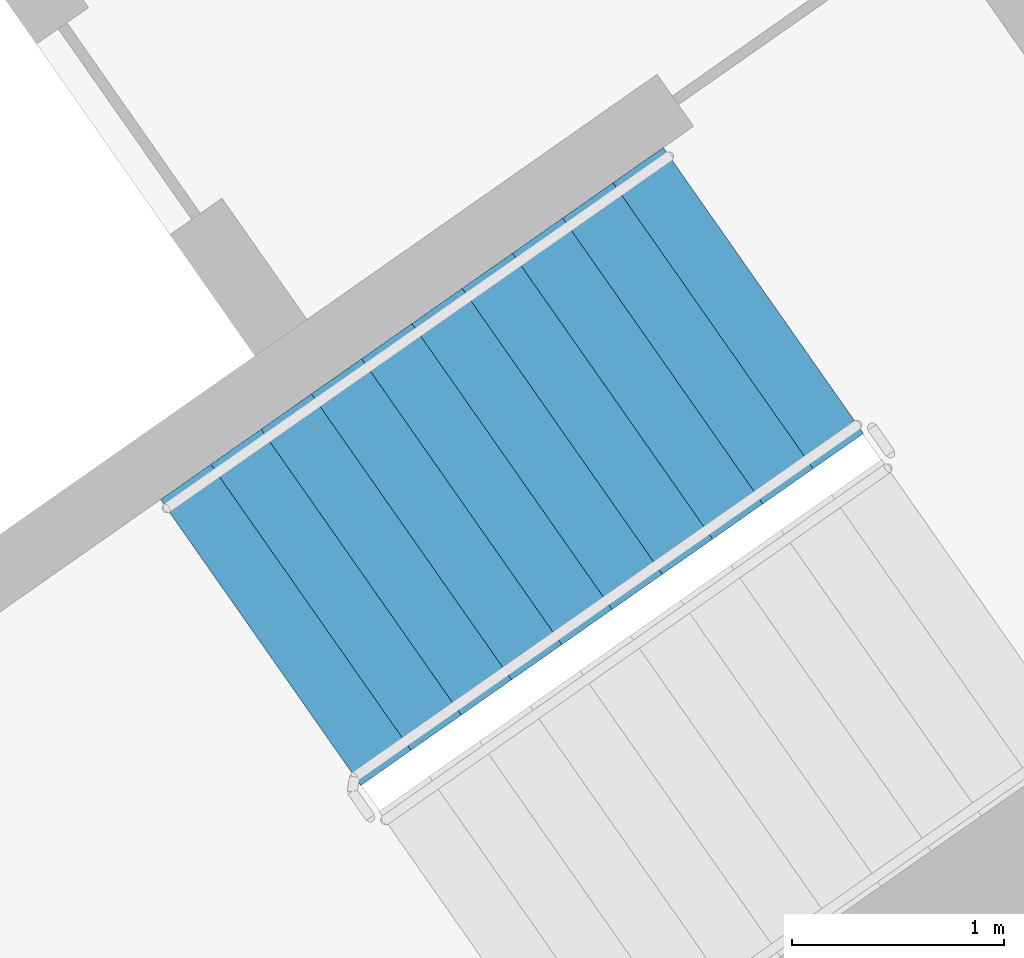
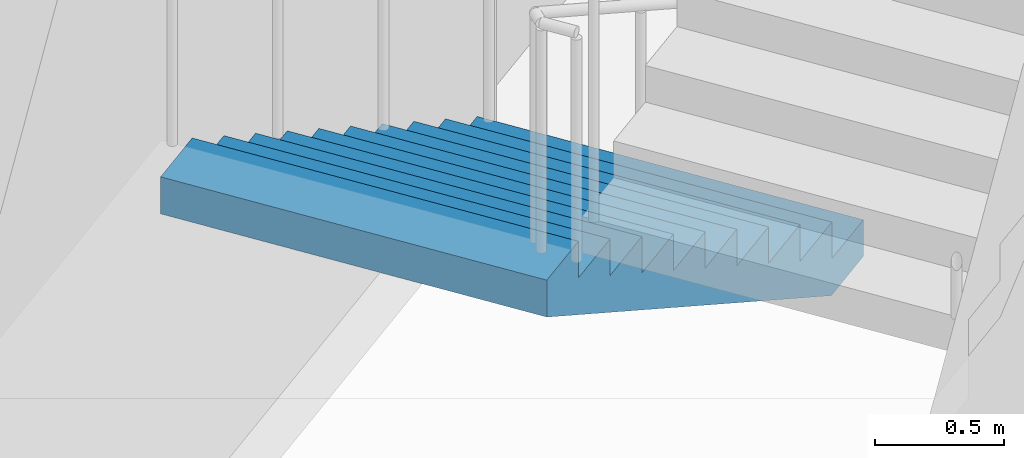
# One storey, part 14 of 27: 1 stair flight, 1 element without a shape of its own.
"""IFC4 building model written with IfcOpenShell, lengths in metres."""

import ifcopenshell
import ifcopenshell.guid

model = None  # the IFC model being written
_history = None  # IfcOwnerHistory: only IFC2X3 demands one
_inside = {}  # id of a spatial element -> (the spatial element, [elements in it])
_under = {}  # id of a project, library or spatial element -> (it, [spatial elements below it])
_declared = {}  # id of a project -> (the project, [libraries it declares])
_typed = {}  # id of a type object -> (the type object, [elements of that type])
_made_of = {}  # id of a material, layer set ... -> (it, [elements and type objects made of it])


def new_model(schema):
    """Start an empty IFC model of exactly this schema.

    Asked for "IFC4X3", IfcOpenShell would pick the latest addendum, in which some entities
    have other attributes; the version numbers below select the first issue.
    IFC2X3 requires an IfcOwnerHistory on every rooted entity: one is made here for all.
    """
    global model, _history
    if schema == "IFC4X3":
        model = ifcopenshell.file(schema_version=(4, 3, 0, 0))
    else:
        model = ifcopenshell.file(schema=schema)
    _inside.clear()
    _under.clear()
    _declared.clear()
    _typed.clear()
    _made_of.clear()
    _history = None
    if model.schema == "IFC2X3":
        org = make("IfcOrganization", Name="unknown")
        user = make(
            "IfcPersonAndOrganization",
            ThePerson=make("IfcPerson", FamilyName="unknown"),
            TheOrganization=org,
        )
        app = make(
            "IfcApplication",
            ApplicationDeveloper=org,
            Version="unknown",
            ApplicationFullName="unknown",
            ApplicationIdentifier="unknown",
        )
        _history = make(
            "IfcOwnerHistory",
            OwningUser=user,
            OwningApplication=app,
            ChangeAction="ADDED",
            CreationDate=0,
        )
    return model


def make(cls, **values):
    """One entity of the class cls with the attributes given. An attribute that is None is left unset."""
    return model.create_entity(
        cls, **{name: value for name, value in values.items() if value is not None}
    )


def rooted(cls, **values):
    """An entity with a GlobalId (a new one), such as an element, a storey or a relation."""
    return make(cls, GlobalId=ifcopenshell.guid.new(), OwnerHistory=_history, **values)


def si_unit(unit_type, name, prefix=None):
    """IfcSIUnit, for example si_unit("LENGTHUNIT", "METRE", prefix="MILLI")."""
    return make("IfcSIUnit", UnitType=unit_type, Prefix=prefix, Name=name)


def assignment(units):
    """IfcUnitAssignment: the units of a project."""
    return None if units is None else make("IfcUnitAssignment", Units=units)


def point(xyz):
    """IfcCartesianPoint."""
    return None if xyz is None else make("IfcCartesianPoint", Coordinates=xyz)


def direction(xyz):
    """IfcDirection."""
    return None if xyz is None else make("IfcDirection", DirectionRatios=xyz)


def frame(location, z_axis=None, x_axis=None):
    """IfcAxis2Placement3D, a coordinate frame: its origin and axes. An axis left out is left unset."""
    return make(
        "IfcAxis2Placement3D",
        Location=point(location),
        Axis=direction(z_axis),
        RefDirection=direction(x_axis),
    )


def origin():
    """The frame at (0, 0, 0) with its axes left unset."""
    return frame((0.0, 0.0, 0.0))


def place(relative_to, where):
    """IfcLocalPlacement: puts the frame where relative to a parent placement (None: the world)."""
    return make(
        "IfcLocalPlacement", PlacementRelTo=relative_to, RelativePlacement=where
    )


def context(
    kind, dimensions, precision=None, world=None, true_north=None, identifier=None
):
    """IfcGeometricRepresentationContext, for example the 3D "Model" context."""
    return make(
        "IfcGeometricRepresentationContext",
        ContextIdentifier=identifier,
        ContextType=kind,
        CoordinateSpaceDimension=dimensions,
        Precision=precision,
        WorldCoordinateSystem=world,
        TrueNorth=true_north,
    )


def subcontext(parent, identifier, kind, view, scale=None):
    """IfcGeometricRepresentationSubContext, for example "Body" below "Model"."""
    return make(
        "IfcGeometricRepresentationSubContext",
        ContextIdentifier=identifier,
        ContextType=kind,
        ParentContext=parent,
        TargetScale=scale,
        TargetView=view,
    )


def project(units=None, contexts=None):
    """IfcProject with its units and contexts."""
    return rooted(
        "IfcProject",
        Name="project",
        RepresentationContexts=contexts,
        UnitsInContext=assignment(units),
    )


def spatial(cls, under=None, at=None, **own):
    """A site, building, storey or space (cls), placed at a placement, below another one or the project."""
    s = rooted(cls, ObjectPlacement=at, **own)
    if under is not None:
        _under.setdefault(under.id(), (under, []))[1].append(s)
    return s


def faces_of(points, faces, orient=None, outer=None):
    """IfcFace entities. A face is a list of loops; a loop is a list of indices into points, from 0.

    orient and outer hold one flag for each loop. By default every Orientation is true, the
    first loop of a face is its IfcFaceOuterBound and the others are IfcFaceBound.
    """
    made = []
    for i, loops in enumerate(faces):
        bounds = []
        for j, loop in enumerate(loops):
            is_outer = j == 0 if outer is None else outer[i][j]
            bounds.append(
                make(
                    "IfcFaceOuterBound" if is_outer else "IfcFaceBound",
                    Bound=make("IfcPolyLoop", Polygon=[points[k] for k in loop]),
                    Orientation=True if orient is None else orient[i][j],
                )
            )
        made.append(make("IfcFace", Bounds=bounds))
    return made


def faceted_brep(points, faces, orient=None, outer=None, voids=None):
    """IfcFacetedBrep: a solid bounded by flat faces; with voids (closed shells), ...WithVoids."""
    shared = [point(p) for p in points]
    hull = make("IfcClosedShell", CfsFaces=faces_of(shared, faces, orient, outer))
    if voids is None:
        return make("IfcFacetedBrep", Outer=hull)
    return make(
        "IfcFacetedBrepWithVoids",
        Outer=hull,
        Voids=[
            make(cls, CfsFaces=faces_of(shared, fs, o, b)) for cls, fs, o, b in voids
        ],
    )


def shape(context_of_items, identifier, shape_type, items):
    """IfcShapeRepresentation: the items that make up one representation, for example the "Body"."""
    return make(
        "IfcShapeRepresentation",
        ContextOfItems=context_of_items,
        RepresentationIdentifier=identifier,
        RepresentationType=shape_type,
        Items=items,
    )


def material(Name=None, Category=None):
    """IfcMaterial."""
    return make("IfcMaterial", Name=Name, Category=Category)


def made_of(thing, what):
    """Note that an element or type object is made of a material, layer set ...; save() writes the relation."""
    if what is not None:
        _made_of.setdefault(what.id(), (what, []))[1].append(thing)
    return thing


def type_object(cls, material=None, **own):
    """A type object (cls), such as IfcWallType, which elements share."""
    return made_of(rooted(cls, **own), material)


def element(
    cls,
    number,
    at=None,
    inside=None,
    cuts=None,
    type_object=None,
    material=None,
    context=None,
    identifier="Body",
    shape_type=None,
    held_by="IfcProductDefinitionShape",
    body=None,
    shapes=None,
    **own,
):
    """One element of the class cls, such as IfcWall. Its Tag is "e" and its number.

    at: its placement. inside: the storey or other place that contains it. cuts: it is an
    opening in that element (IfcRelVoidsElement). A single representation is given by context,
    identifier, shape_type and body (its items); several are given by shapes. held_by: the class
    of the entity that holds the representations. save() writes the other relations.
    """
    e = rooted(cls, Tag="e%d" % number, ObjectPlacement=at, **own)
    if body is not None:
        shapes = [shape(context, identifier, shape_type, body)]
    if shapes is not None:
        e.Representation = make(held_by, Representations=shapes)
    if inside is not None:
        _inside.setdefault(inside.id(), (inside, []))[1].append(e)
    if cuts is not None:
        rooted(
            "IfcRelVoidsElement", RelatingBuildingElement=cuts, RelatedOpeningElement=e
        )
    if type_object is not None:
        _typed.setdefault(type_object.id(), (type_object, []))[1].append(e)
    return made_of(e, material)


def aggregate(whole, parts):
    """IfcRelAggregates: a whole, such as a stair, and the parts it consists of."""
    return rooted("IfcRelAggregates", RelatingObject=whole, RelatedObjects=parts)


def save(model, path):
    """Write the relations noted so far, then the file.

    IfcRelAggregates (storeys below a building ...), IfcRelContainedInSpatialStructure (elements
    in a storey), IfcRelDefinesByType, IfcRelAssociatesMaterial and IfcRelDeclares: one each for
    every whole, place, type object, material and project.
    """
    for whole, parts in _under.values():
        aggregate(whole, parts)
    for where, things in _inside.values():
        rooted(
            "IfcRelContainedInSpatialStructure",
            RelatedElements=things,
            RelatingStructure=where,
        )
    for kind, things in _typed.values():
        rooted("IfcRelDefinesByType", RelatedObjects=things, RelatingType=kind)
    for what, things in _made_of.values():
        rooted("IfcRelAssociatesMaterial", RelatedObjects=things, RelatingMaterial=what)
    for by, libraries in _declared.values():
        rooted("IfcRelDeclares", RelatingContext=by, RelatedDefinitions=libraries)
    model.write(path)


model = new_model("IFC4")

# Units and contexts
model_context = context("Model", 3, precision=1e-05, world=origin(), true_north=direction((0.0, 1.0)))
body_context = subcontext(model_context, "Body", "Model", "MODEL_VIEW")
ifc_project = project(units=[si_unit("LENGTHUNIT", "METRE"), si_unit("AREAUNIT", "SQUARE_METRE"), si_unit("VOLUMEUNIT", "CUBIC_METRE"), si_unit("PLANEANGLEUNIT", "RADIAN"), si_unit("MASSUNIT", "GRAM", prefix="KILO")], contexts=[model_context])

# Site, building, storey
site_placement = place(None, origin())
site = spatial("IfcSite", under=ifc_project, at=site_placement, CompositionType="ELEMENT")
building_placement = place(site_placement, origin())
building = spatial("IfcBuilding", under=site, at=building_placement, Name="Qamariyya Broadcast Tower", CompositionType="ELEMENT")
storey_placement = place(building_placement, frame((0.0, 0.0, 280.89990234375)))
storey = spatial("IfcBuildingStorey", under=building, at=storey_placement, Name="L68", CompositionType="ELEMENT", Elevation=280.89990234375)

# Stair, stair flight
ifc_material = material(Name="Concrete C50/60", Category="concrete")
stair_type = type_object("IfcStairType", Name="Exit stair 22 risers of 173 mm", PredefinedType="HALF_TURN_STAIR", material=ifc_material)
stair_placement = place(storey_placement, origin())
stair = element("IfcStair", 1, at=stair_placement, inside=storey, type_object=stair_type, Name="L68 Stair E1", PredefinedType="HALF_TURN_STAIR")
stair_flight_type = type_object("IfcStairFlightType", Name="Exit stair flight 11 risers of 173 mm", PredefinedType="STRAIGHT", material=ifc_material)
stair_flight_placement = place(storey_placement, frame((46.036376953125, -55.508056640625, 0.0), z_axis=(0.0, 0.0, 1.0), x_axis=(-0.819152044289, -0.573576436351, 0.0)))
stair_flight = element("IfcStairFlight", 2, at=stair_flight_placement, type_object=stair_flight_type, Name="ST-E1 flight 1", NumberOfRisers=11, NumberOfTreads=10, PredefinedType="STRAIGHT", RiserHeight=0.172727273, TreadLength=0.29, context=body_context, shape_type="Brep", body=[
    faceted_brep([(0.0, 0.824951171875, 0.0), (0.0, 0.824951171875, 0.172607421875), (0.2900390625, 0.824951171875, 0.172607421875), (0.2900390625, 0.824951171875, 0.345458984375), (0.580078125, 0.824951171875, 0.345458984375), (0.580078125, 0.824951171875, 0.51806640625), (0.8701171875, 0.824951171875, 0.51806640625), (0.8701171875, 0.824951171875, 0.69091796875), (1.159912109375, 0.824951171875, 0.69091796875), (1.159912109375, 0.824951171875, 0.863525390625), (1.449951171875, 0.824951171875, 0.863525390625), (1.449951171875, 0.824951171875, 1.036376953125), (1.739990234375, 0.824951171875, 1.036376953125), (1.739990234375, 0.824951171875, 1.208984375), (2.030029296875, 0.824951171875, 1.208984375), (2.030029296875, 0.824951171875, 1.3818359375), (2.320068359375, 0.824951171875, 1.3818359375), (2.320068359375, 0.824951171875, 1.554443359375), (2.610107421875, 0.824951171875, 1.554443359375), (2.610107421875, 0.824951171875, 1.727294921875), (2.89990234375, 0.824951171875, 1.727294921875), (2.89990234375, 0.824951171875, 1.552734375), (0.29296875, 0.824951171875, 0.0), (0.29296875, -0.824951171875, 0.0), (2.89990234375, -0.824951171875, 1.552734375), (2.89990234375, -0.824951171875, 1.727294921875), (2.610107421875, -0.824951171875, 1.727294921875), (2.610107421875, -0.824951171875, 1.554443359375), (2.320068359375, -0.824951171875, 1.554443359375), (2.320068359375, -0.824951171875, 1.3818359375), (2.030029296875, -0.824951171875, 1.3818359375), (2.030029296875, -0.824951171875, 1.208984375), (1.739990234375, -0.824951171875, 1.208984375), (1.739990234375, -0.824951171875, 1.036376953125), (1.449951171875, -0.824951171875, 1.036376953125), (1.449951171875, -0.824951171875, 0.863525390625), (1.159912109375, -0.824951171875, 0.863525390625), (1.159912109375, -0.824951171875, 0.69091796875), (0.8701171875, -0.824951171875, 0.69091796875), (0.8701171875, -0.824951171875, 0.51806640625), (0.580078125, -0.824951171875, 0.51806640625), (0.580078125, -0.824951171875, 0.345458984375), (0.2900390625, -0.824951171875, 0.345458984375), (0.2900390625, -0.824951171875, 0.172607421875), (0.0, -0.824951171875, 0.172607421875), (0.0, -0.824951171875, 0.0), (0.0, 0.10009765625, 0.0), (0.0, 0.086669921875, 0.0), (0.0, 0.0732421875, 0.0), (0.0, 0.06005859375, 0.0), (0.0, 0.046630859375, 0.0), (0.0, 0.033447265625, 0.0), (0.0, 0.02001953125, 0.0), (0.0, 0.006591796875, 0.0), (0.0, -0.006591796875, 0.0), (0.0, -0.02001953125, 0.0), (0.0, -0.033447265625, 0.0), (0.0, -0.046630859375, 0.0), (0.0, -0.06005859375, 0.0), (0.0, -0.0732421875, 0.0), (0.0, -0.086669921875, 0.0), (0.0, -0.10009765625, 0.0), (0.0, -0.10009765625, 0.172607421875), (0.0, -0.086669921875, 0.172607421875), (0.0, -0.0732421875, 0.172607421875), (0.0, -0.06005859375, 0.172607421875), (0.0, -0.046630859375, 0.172607421875), (0.0, -0.033447265625, 0.172607421875), (0.0, -0.02001953125, 0.172607421875), (0.0, -0.006591796875, 0.172607421875), (0.0, 0.006591796875, 0.172607421875), (0.0, 0.02001953125, 0.172607421875), (0.0, 0.033447265625, 0.172607421875), (0.0, 0.046630859375, 0.172607421875), (0.0, 0.06005859375, 0.172607421875), (0.0, 0.0732421875, 0.172607421875), (0.0, 0.086669921875, 0.172607421875), (0.0, 0.10009765625, 0.172607421875), (0.2900390625, -0.10009765625, 0.172607421875), (0.2900390625, -0.086669921875, 0.172607421875), (0.2900390625, -0.0732421875, 0.172607421875), (0.2900390625, -0.06005859375, 0.172607421875), (0.2900390625, -0.046630859375, 0.172607421875), (0.2900390625, -0.033447265625, 0.172607421875), (0.2900390625, -0.02001953125, 0.172607421875), (0.2900390625, -0.006591796875, 0.172607421875), (0.2900390625, 0.006591796875, 0.172607421875), (0.2900390625, 0.02001953125, 0.172607421875), (0.2900390625, 0.033447265625, 0.172607421875), (0.2900390625, 0.046630859375, 0.172607421875), (0.2900390625, 0.06005859375, 0.172607421875), (0.2900390625, 0.0732421875, 0.172607421875), (0.2900390625, 0.086669921875, 0.172607421875), (0.2900390625, 0.10009765625, 0.172607421875), (0.2900390625, -0.10009765625, 0.345458984375), (0.2900390625, -0.086669921875, 0.345458984375), (0.2900390625, -0.0732421875, 0.345458984375), (0.2900390625, -0.06005859375, 0.345458984375), (0.2900390625, -0.046630859375, 0.345458984375), (0.2900390625, -0.033447265625, 0.345458984375), (0.2900390625, -0.02001953125, 0.345458984375), (0.2900390625, -0.006591796875, 0.345458984375), (0.2900390625, 0.006591796875, 0.345458984375), (0.2900390625, 0.02001953125, 0.345458984375), (0.2900390625, 0.033447265625, 0.345458984375), (0.2900390625, 0.046630859375, 0.345458984375), (0.2900390625, 0.06005859375, 0.345458984375), (0.2900390625, 0.0732421875, 0.345458984375), (0.2900390625, 0.086669921875, 0.345458984375), (0.2900390625, 0.10009765625, 0.345458984375), (0.580078125, -0.10009765625, 0.345458984375), (0.580078125, -0.086669921875, 0.345458984375), (0.580078125, -0.0732421875, 0.345458984375), (0.580078125, -0.06005859375, 0.345458984375), (0.580078125, -0.046630859375, 0.345458984375), (0.580078125, -0.033447265625, 0.345458984375), (0.580078125, -0.02001953125, 0.345458984375), (0.580078125, -0.006591796875, 0.345458984375), (0.580078125, 0.006591796875, 0.345458984375), (0.580078125, 0.02001953125, 0.345458984375), (0.580078125, 0.033447265625, 0.345458984375), (0.580078125, 0.046630859375, 0.345458984375), (0.580078125, 0.06005859375, 0.345458984375), (0.580078125, 0.0732421875, 0.345458984375), (0.580078125, 0.086669921875, 0.345458984375), (0.580078125, 0.10009765625, 0.345458984375), (0.580078125, -0.10009765625, 0.51806640625), (0.580078125, -0.086669921875, 0.51806640625), (0.580078125, -0.0732421875, 0.51806640625), (0.580078125, -0.06005859375, 0.51806640625), (0.580078125, -0.046630859375, 0.51806640625), (0.580078125, -0.033447265625, 0.51806640625), (0.580078125, -0.02001953125, 0.51806640625), (0.580078125, -0.006591796875, 0.51806640625), (0.580078125, 0.006591796875, 0.51806640625), (0.580078125, 0.02001953125, 0.51806640625), (0.580078125, 0.033447265625, 0.51806640625), (0.580078125, 0.046630859375, 0.51806640625), (0.580078125, 0.06005859375, 0.51806640625), (0.580078125, 0.0732421875, 0.51806640625), (0.580078125, 0.086669921875, 0.51806640625), (0.580078125, 0.10009765625, 0.51806640625), (0.8701171875, -0.10009765625, 0.51806640625), (0.8701171875, -0.086669921875, 0.51806640625), (0.8701171875, -0.0732421875, 0.51806640625), (0.8701171875, -0.06005859375, 0.51806640625), (0.8701171875, -0.046630859375, 0.51806640625), (0.8701171875, -0.033447265625, 0.51806640625), (0.8701171875, -0.02001953125, 0.51806640625), (0.8701171875, -0.006591796875, 0.51806640625), (0.8701171875, 0.006591796875, 0.51806640625), (0.8701171875, 0.02001953125, 0.51806640625), (0.8701171875, 0.033447265625, 0.51806640625), (0.8701171875, 0.046630859375, 0.51806640625), (0.8701171875, 0.06005859375, 0.51806640625), (0.8701171875, 0.0732421875, 0.51806640625), (0.8701171875, 0.086669921875, 0.51806640625), (0.8701171875, 0.10009765625, 0.51806640625), (0.8701171875, -0.10009765625, 0.69091796875), (0.8701171875, -0.086669921875, 0.69091796875), (0.8701171875, -0.0732421875, 0.69091796875), (0.8701171875, -0.06005859375, 0.69091796875), (0.8701171875, -0.046630859375, 0.69091796875), (0.8701171875, -0.033447265625, 0.69091796875), (0.8701171875, -0.02001953125, 0.69091796875), (0.8701171875, -0.006591796875, 0.69091796875), (0.8701171875, 0.006591796875, 0.69091796875), (0.8701171875, 0.02001953125, 0.69091796875), (0.8701171875, 0.033447265625, 0.69091796875), (0.8701171875, 0.046630859375, 0.69091796875), (0.8701171875, 0.06005859375, 0.69091796875), (0.8701171875, 0.0732421875, 0.69091796875), (0.8701171875, 0.086669921875, 0.69091796875), (0.8701171875, 0.10009765625, 0.69091796875), (1.159912109375, -0.10009765625, 0.69091796875), (1.159912109375, -0.086669921875, 0.69091796875), (1.159912109375, -0.0732421875, 0.69091796875), (1.159912109375, -0.06005859375, 0.69091796875), (1.159912109375, -0.046630859375, 0.69091796875), (1.159912109375, -0.033447265625, 0.69091796875), (1.159912109375, -0.02001953125, 0.69091796875), (1.159912109375, -0.006591796875, 0.69091796875), (1.159912109375, 0.006591796875, 0.69091796875), (1.159912109375, 0.02001953125, 0.69091796875), (1.159912109375, 0.033447265625, 0.69091796875), (1.159912109375, 0.046630859375, 0.69091796875), (1.159912109375, 0.06005859375, 0.69091796875), (1.159912109375, 0.0732421875, 0.69091796875), (1.159912109375, 0.086669921875, 0.69091796875), (1.159912109375, 0.10009765625, 0.69091796875), (1.159912109375, -0.10009765625, 0.863525390625), (1.159912109375, -0.086669921875, 0.863525390625), (1.159912109375, -0.0732421875, 0.863525390625), (1.159912109375, -0.06005859375, 0.863525390625), (1.159912109375, -0.046630859375, 0.863525390625), (1.159912109375, -0.033447265625, 0.863525390625), (1.159912109375, -0.02001953125, 0.863525390625), (1.159912109375, -0.006591796875, 0.863525390625), (1.159912109375, 0.006591796875, 0.863525390625), (1.159912109375, 0.02001953125, 0.863525390625), (1.159912109375, 0.033447265625, 0.863525390625), (1.159912109375, 0.046630859375, 0.863525390625), (1.159912109375, 0.06005859375, 0.863525390625), (1.159912109375, 0.0732421875, 0.863525390625), (1.159912109375, 0.086669921875, 0.863525390625), (1.159912109375, 0.10009765625, 0.863525390625), (1.449951171875, -0.10009765625, 0.863525390625), (1.449951171875, -0.086669921875, 0.863525390625), (1.449951171875, -0.0732421875, 0.863525390625), (1.449951171875, -0.06005859375, 0.863525390625), (1.449951171875, -0.046630859375, 0.863525390625), (1.449951171875, -0.033447265625, 0.863525390625), (1.449951171875, -0.02001953125, 0.863525390625), (1.449951171875, -0.006591796875, 0.863525390625), (1.449951171875, 0.006591796875, 0.863525390625), (1.449951171875, 0.02001953125, 0.863525390625), (1.449951171875, 0.033447265625, 0.863525390625), (1.449951171875, 0.046630859375, 0.863525390625), (1.449951171875, 0.06005859375, 0.863525390625), (1.449951171875, 0.0732421875, 0.863525390625), (1.449951171875, 0.086669921875, 0.863525390625), (1.449951171875, 0.10009765625, 0.863525390625), (1.449951171875, -0.10009765625, 1.036376953125), (1.449951171875, -0.086669921875, 1.036376953125), (1.449951171875, -0.0732421875, 1.036376953125), (1.449951171875, -0.06005859375, 1.036376953125), (1.449951171875, -0.046630859375, 1.036376953125), (1.449951171875, -0.033447265625, 1.036376953125), (1.449951171875, -0.02001953125, 1.036376953125), (1.449951171875, -0.006591796875, 1.036376953125), (1.449951171875, 0.006591796875, 1.036376953125), (1.449951171875, 0.02001953125, 1.036376953125), (1.449951171875, 0.033447265625, 1.036376953125), (1.449951171875, 0.046630859375, 1.036376953125), (1.449951171875, 0.06005859375, 1.036376953125), (1.449951171875, 0.0732421875, 1.036376953125), (1.449951171875, 0.086669921875, 1.036376953125), (1.449951171875, 0.10009765625, 1.036376953125), (1.739990234375, -0.10009765625, 1.036376953125), (1.739990234375, -0.086669921875, 1.036376953125), (1.739990234375, -0.0732421875, 1.036376953125), (1.739990234375, -0.06005859375, 1.036376953125), (1.739990234375, -0.046630859375, 1.036376953125), (1.739990234375, -0.033447265625, 1.036376953125), (1.739990234375, -0.02001953125, 1.036376953125), (1.739990234375, -0.006591796875, 1.036376953125), (1.739990234375, 0.006591796875, 1.036376953125), (1.739990234375, 0.02001953125, 1.036376953125), (1.739990234375, 0.033447265625, 1.036376953125), (1.739990234375, 0.046630859375, 1.036376953125), (1.739990234375, 0.06005859375, 1.036376953125), (1.739990234375, 0.0732421875, 1.036376953125), (1.739990234375, 0.086669921875, 1.036376953125), (1.739990234375, 0.10009765625, 1.036376953125), (1.739990234375, -0.10009765625, 1.208984375), (1.739990234375, -0.086669921875, 1.208984375), (1.739990234375, -0.0732421875, 1.208984375), (1.739990234375, -0.06005859375, 1.208984375), (1.739990234375, -0.046630859375, 1.208984375), (1.739990234375, -0.033447265625, 1.208984375), (1.739990234375, -0.02001953125, 1.208984375), (1.739990234375, -0.006591796875, 1.208984375), (1.739990234375, 0.006591796875, 1.208984375), (1.739990234375, 0.02001953125, 1.208984375), (1.739990234375, 0.033447265625, 1.208984375), (1.739990234375, 0.046630859375, 1.208984375), (1.739990234375, 0.06005859375, 1.208984375), (1.739990234375, 0.0732421875, 1.208984375), (1.739990234375, 0.086669921875, 1.208984375), (1.739990234375, 0.10009765625, 1.208984375), (2.030029296875, -0.10009765625, 1.208984375), (2.030029296875, -0.086669921875, 1.208984375), (2.030029296875, -0.0732421875, 1.208984375), (2.030029296875, -0.06005859375, 1.208984375), (2.030029296875, -0.046630859375, 1.208984375), (2.030029296875, -0.033447265625, 1.208984375), (2.030029296875, -0.02001953125, 1.208984375), (2.030029296875, -0.006591796875, 1.208984375), (2.030029296875, 0.006591796875, 1.208984375), (2.030029296875, 0.02001953125, 1.208984375), (2.030029296875, 0.033447265625, 1.208984375), (2.030029296875, 0.046630859375, 1.208984375), (2.030029296875, 0.06005859375, 1.208984375), (2.030029296875, 0.0732421875, 1.208984375), (2.030029296875, 0.086669921875, 1.208984375), (2.030029296875, 0.10009765625, 1.208984375), (2.030029296875, -0.10009765625, 1.3818359375), (2.030029296875, -0.086669921875, 1.3818359375), (2.030029296875, -0.0732421875, 1.3818359375), (2.030029296875, -0.06005859375, 1.3818359375), (2.030029296875, -0.046630859375, 1.3818359375), (2.030029296875, -0.033447265625, 1.3818359375), (2.030029296875, -0.02001953125, 1.3818359375), (2.030029296875, -0.006591796875, 1.3818359375), (2.030029296875, 0.006591796875, 1.3818359375), (2.030029296875, 0.02001953125, 1.3818359375), (2.030029296875, 0.033447265625, 1.3818359375), (2.030029296875, 0.046630859375, 1.3818359375), (2.030029296875, 0.06005859375, 1.3818359375), (2.030029296875, 0.0732421875, 1.3818359375), (2.030029296875, 0.086669921875, 1.3818359375), (2.030029296875, 0.10009765625, 1.3818359375), (2.320068359375, -0.10009765625, 1.3818359375), (2.320068359375, -0.086669921875, 1.3818359375), (2.320068359375, -0.0732421875, 1.3818359375), (2.320068359375, -0.06005859375, 1.3818359375), (2.320068359375, -0.046630859375, 1.3818359375), (2.320068359375, -0.033447265625, 1.3818359375), (2.320068359375, -0.02001953125, 1.3818359375), (2.320068359375, -0.006591796875, 1.3818359375), (2.320068359375, 0.006591796875, 1.3818359375), (2.320068359375, 0.02001953125, 1.3818359375), (2.320068359375, 0.033447265625, 1.3818359375), (2.320068359375, 0.046630859375, 1.3818359375), (2.320068359375, 0.06005859375, 1.3818359375), (2.320068359375, 0.0732421875, 1.3818359375), (2.320068359375, 0.086669921875, 1.3818359375), (2.320068359375, 0.10009765625, 1.3818359375), (2.320068359375, -0.10009765625, 1.554443359375), (2.320068359375, -0.086669921875, 1.554443359375), (2.320068359375, -0.0732421875, 1.554443359375), (2.320068359375, -0.06005859375, 1.554443359375), (2.320068359375, -0.046630859375, 1.554443359375), (2.320068359375, -0.033447265625, 1.554443359375), (2.320068359375, -0.02001953125, 1.554443359375), (2.320068359375, -0.006591796875, 1.554443359375), (2.320068359375, 0.006591796875, 1.554443359375), (2.320068359375, 0.02001953125, 1.554443359375), (2.320068359375, 0.033447265625, 1.554443359375), (2.320068359375, 0.046630859375, 1.554443359375), (2.320068359375, 0.06005859375, 1.554443359375), (2.320068359375, 0.0732421875, 1.554443359375), (2.320068359375, 0.086669921875, 1.554443359375), (2.320068359375, 0.10009765625, 1.554443359375), (2.610107421875, -0.10009765625, 1.554443359375), (2.610107421875, -0.086669921875, 1.554443359375), (2.610107421875, -0.0732421875, 1.554443359375), (2.610107421875, -0.06005859375, 1.554443359375), (2.610107421875, -0.046630859375, 1.554443359375), (2.610107421875, -0.033447265625, 1.554443359375), (2.610107421875, -0.02001953125, 1.554443359375), (2.610107421875, -0.006591796875, 1.554443359375), (2.610107421875, 0.006591796875, 1.554443359375), (2.610107421875, 0.02001953125, 1.554443359375), (2.610107421875, 0.033447265625, 1.554443359375), (2.610107421875, 0.046630859375, 1.554443359375), (2.610107421875, 0.06005859375, 1.554443359375), (2.610107421875, 0.0732421875, 1.554443359375), (2.610107421875, 0.086669921875, 1.554443359375), (2.610107421875, 0.10009765625, 1.554443359375), (2.610107421875, -0.10009765625, 1.727294921875), (2.610107421875, -0.086669921875, 1.727294921875), (2.610107421875, -0.0732421875, 1.727294921875), (2.610107421875, -0.06005859375, 1.727294921875), (2.610107421875, -0.046630859375, 1.727294921875), (2.610107421875, -0.033447265625, 1.727294921875), (2.610107421875, -0.02001953125, 1.727294921875), (2.610107421875, -0.006591796875, 1.727294921875), (2.610107421875, 0.006591796875, 1.727294921875), (2.610107421875, 0.02001953125, 1.727294921875), (2.610107421875, 0.033447265625, 1.727294921875), (2.610107421875, 0.046630859375, 1.727294921875), (2.610107421875, 0.06005859375, 1.727294921875), (2.610107421875, 0.0732421875, 1.727294921875), (2.610107421875, 0.086669921875, 1.727294921875), (2.610107421875, 0.10009765625, 1.727294921875), (2.89990234375, -0.10009765625, 1.727294921875), (2.89990234375, -0.086669921875, 1.727294921875), (2.89990234375, -0.0732421875, 1.727294921875), (2.89990234375, -0.06005859375, 1.727294921875), (2.89990234375, -0.046630859375, 1.727294921875), (2.89990234375, -0.033447265625, 1.727294921875), (2.89990234375, -0.02001953125, 1.727294921875), (2.89990234375, -0.006591796875, 1.727294921875), (2.89990234375, 0.006591796875, 1.727294921875), (2.89990234375, 0.02001953125, 1.727294921875), (2.89990234375, 0.033447265625, 1.727294921875), (2.89990234375, 0.046630859375, 1.727294921875), (2.89990234375, 0.06005859375, 1.727294921875), (2.89990234375, 0.0732421875, 1.727294921875), (2.89990234375, 0.086669921875, 1.727294921875), (2.89990234375, 0.10009765625, 1.727294921875), (2.89990234375, -0.10009765625, 1.552734375), (2.89990234375, -0.086669921875, 1.552734375), (2.89990234375, -0.0732421875, 1.552734375), (2.89990234375, -0.06005859375, 1.552734375), (2.89990234375, -0.046630859375, 1.552734375), (2.89990234375, -0.033447265625, 1.552734375), (2.89990234375, -0.02001953125, 1.552734375), (2.89990234375, -0.006591796875, 1.552734375), (2.89990234375, 0.006591796875, 1.552734375), (2.89990234375, 0.02001953125, 1.552734375), (2.89990234375, 0.033447265625, 1.552734375), (2.89990234375, 0.046630859375, 1.552734375), (2.89990234375, 0.06005859375, 1.552734375), (2.89990234375, 0.0732421875, 1.552734375), (2.89990234375, 0.086669921875, 1.552734375), (2.89990234375, 0.10009765625, 1.552734375), (0.29296875, -0.10009765625, 0.0), (0.29296875, -0.086669921875, 0.0), (0.29296875, -0.0732421875, 0.0), (0.29296875, -0.06005859375, 0.0), (0.29296875, -0.046630859375, 0.0), (0.29296875, -0.033447265625, 0.0), (0.29296875, -0.02001953125, 0.0), (0.29296875, -0.006591796875, 0.0), (0.29296875, 0.006591796875, 0.0), (0.29296875, 0.02001953125, 0.0), (0.29296875, 0.033447265625, 0.0), (0.29296875, 0.046630859375, 0.0), (0.29296875, 0.06005859375, 0.0), (0.29296875, 0.0732421875, 0.0), (0.29296875, 0.086669921875, 0.0), (0.29296875, 0.10009765625, 0.0)], [[[0, 1, 2, 3, 4, 5, 6, 7, 8, 9, 10, 11, 12, 13, 14, 15, 16, 17, 18, 19, 20, 21, 22]], [[23, 24, 25, 26, 27, 28, 29, 30, 31, 32, 33, 34, 35, 36, 37, 38, 39, 40, 41, 42, 43, 44, 45]], [[0, 46, 47, 48, 49, 50, 51, 52, 53, 54, 55, 56, 57, 58, 59, 60, 61, 45, 44, 62, 63, 64, 65, 66, 67, 68, 69, 70, 71, 72, 73, 74, 75, 76, 77, 1]], [[1, 77, 76, 75, 74, 73, 72, 71, 70, 69, 68, 67, 66, 65, 64, 63, 62, 44, 43, 78, 79, 80, 81, 82, 83, 84, 85, 86, 87, 88, 89, 90, 91, 92, 93, 2]], [[2, 93, 92, 91, 90, 89, 88, 87, 86, 85, 84, 83, 82, 81, 80, 79, 78, 43, 42, 94, 95, 96, 97, 98, 99, 100, 101, 102, 103, 104, 105, 106, 107, 108, 109, 3]], [[3, 109, 108, 107, 106, 105, 104, 103, 102, 101, 100, 99, 98, 97, 96, 95, 94, 42, 41, 110, 111, 112, 113, 114, 115, 116, 117, 118, 119, 120, 121, 122, 123, 124, 125, 4]], [[4, 125, 124, 123, 122, 121, 120, 119, 118, 117, 116, 115, 114, 113, 112, 111, 110, 41, 40, 126, 127, 128, 129, 130, 131, 132, 133, 134, 135, 136, 137, 138, 139, 140, 141, 5]], [[5, 141, 140, 139, 138, 137, 136, 135, 134, 133, 132, 131, 130, 129, 128, 127, 126, 40, 39, 142, 143, 144, 145, 146, 147, 148, 149, 150, 151, 152, 153, 154, 155, 156, 157, 6]], [[6, 157, 156, 155, 154, 153, 152, 151, 150, 149, 148, 147, 146, 145, 144, 143, 142, 39, 38, 158, 159, 160, 161, 162, 163, 164, 165, 166, 167, 168, 169, 170, 171, 172, 173, 7]], [[7, 173, 172, 171, 170, 169, 168, 167, 166, 165, 164, 163, 162, 161, 160, 159, 158, 38, 37, 174, 175, 176, 177, 178, 179, 180, 181, 182, 183, 184, 185, 186, 187, 188, 189, 8]], [[8, 189, 188, 187, 186, 185, 184, 183, 182, 181, 180, 179, 178, 177, 176, 175, 174, 37, 36, 190, 191, 192, 193, 194, 195, 196, 197, 198, 199, 200, 201, 202, 203, 204, 205, 9]], [[9, 205, 204, 203, 202, 201, 200, 199, 198, 197, 196, 195, 194, 193, 192, 191, 190, 36, 35, 206, 207, 208, 209, 210, 211, 212, 213, 214, 215, 216, 217, 218, 219, 220, 221, 10]], [[10, 221, 220, 219, 218, 217, 216, 215, 214, 213, 212, 211, 210, 209, 208, 207, 206, 35, 34, 222, 223, 224, 225, 226, 227, 228, 229, 230, 231, 232, 233, 234, 235, 236, 237, 11]], [[11, 237, 236, 235, 234, 233, 232, 231, 230, 229, 228, 227, 226, 225, 224, 223, 222, 34, 33, 238, 239, 240, 241, 242, 243, 244, 245, 246, 247, 248, 249, 250, 251, 252, 253, 12]], [[12, 253, 252, 251, 250, 249, 248, 247, 246, 245, 244, 243, 242, 241, 240, 239, 238, 33, 32, 254, 255, 256, 257, 258, 259, 260, 261, 262, 263, 264, 265, 266, 267, 268, 269, 13]], [[13, 269, 268, 267, 266, 265, 264, 263, 262, 261, 260, 259, 258, 257, 256, 255, 254, 32, 31, 270, 271, 272, 273, 274, 275, 276, 277, 278, 279, 280, 281, 282, 283, 284, 285, 14]], [[14, 285, 284, 283, 282, 281, 280, 279, 278, 277, 276, 275, 274, 273, 272, 271, 270, 31, 30, 286, 287, 288, 289, 290, 291, 292, 293, 294, 295, 296, 297, 298, 299, 300, 301, 15]], [[15, 301, 300, 299, 298, 297, 296, 295, 294, 293, 292, 291, 290, 289, 288, 287, 286, 30, 29, 302, 303, 304, 305, 306, 307, 308, 309, 310, 311, 312, 313, 314, 315, 316, 317, 16]], [[16, 317, 316, 315, 314, 313, 312, 311, 310, 309, 308, 307, 306, 305, 304, 303, 302, 29, 28, 318, 319, 320, 321, 322, 323, 324, 325, 326, 327, 328, 329, 330, 331, 332, 333, 17]], [[17, 333, 332, 331, 330, 329, 328, 327, 326, 325, 324, 323, 322, 321, 320, 319, 318, 28, 27, 334, 335, 336, 337, 338, 339, 340, 341, 342, 343, 344, 345, 346, 347, 348, 349, 18]], [[18, 349, 348, 347, 346, 345, 344, 343, 342, 341, 340, 339, 338, 337, 336, 335, 334, 27, 26, 350, 351, 352, 353, 354, 355, 356, 357, 358, 359, 360, 361, 362, 363, 364, 365, 19]], [[19, 365, 364, 363, 362, 361, 360, 359, 358, 357, 356, 355, 354, 353, 352, 351, 350, 26, 25, 366, 367, 368, 369, 370, 371, 372, 373, 374, 375, 376, 377, 378, 379, 380, 381, 20]], [[20, 381, 380, 379, 378, 377, 376, 375, 374, 373, 372, 371, 370, 369, 368, 367, 366, 25, 24, 382, 383, 384, 385, 386, 387, 388, 389, 390, 391, 392, 393, 394, 395, 396, 397, 21]], [[21, 397, 396, 395, 394, 393, 392, 391, 390, 389, 388, 387, 386, 385, 384, 383, 382, 24, 23, 398, 399, 400, 401, 402, 403, 404, 405, 406, 407, 408, 409, 410, 411, 412, 413, 22]], [[22, 413, 412, 411, 410, 409, 408, 407, 406, 405, 404, 403, 402, 401, 400, 399, 398, 23, 45, 61, 60, 59, 58, 57, 56, 55, 54, 53, 52, 51, 50, 49, 48, 47, 46, 0]]]),
])
aggregate(stair, [stair_flight])

save(model, "model.ifc")
